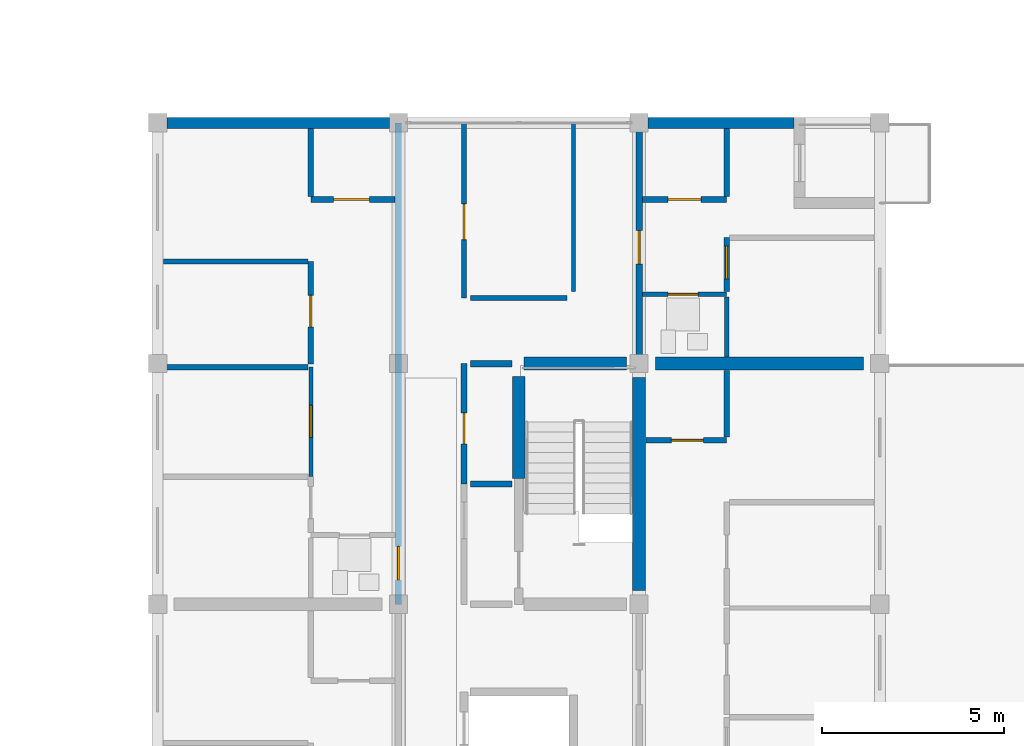
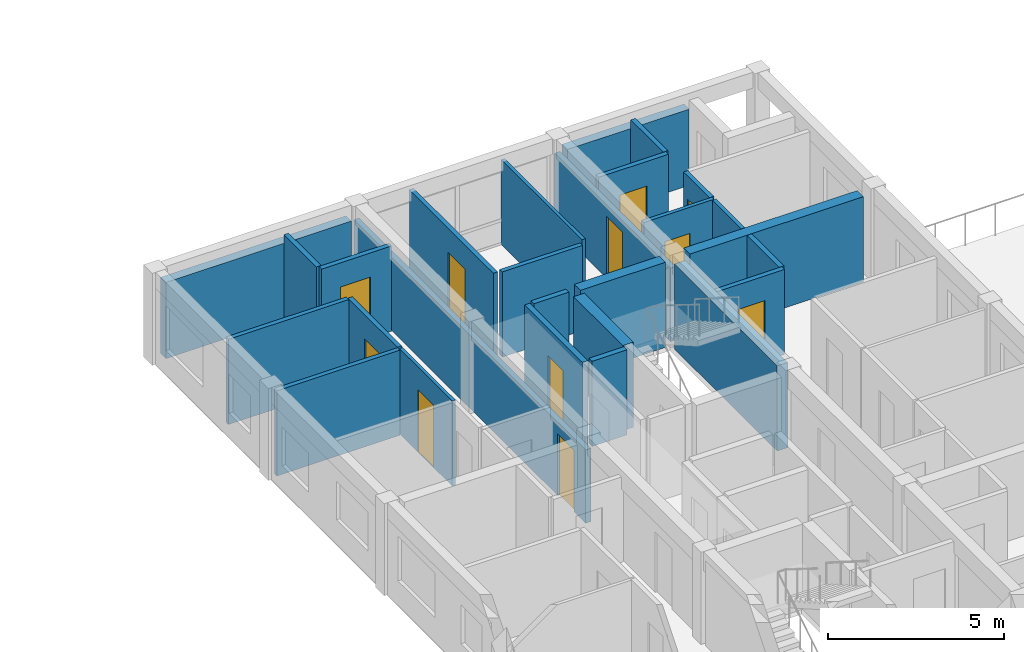
# One storey, part 32 of 51: 27 walls, 11 doors, 11 openings.
"""IFC4 building model written with IfcOpenShell, lengths in metres."""

import ifcopenshell
import ifcopenshell.guid

model = None  # the IFC model being written
_history = None  # IfcOwnerHistory: only IFC2X3 demands one
_inside = {}  # id of a spatial element -> (the spatial element, [elements in it])
_under = {}  # id of a project, library or spatial element -> (it, [spatial elements below it])
_declared = {}  # id of a project -> (the project, [libraries it declares])
_typed = {}  # id of a type object -> (the type object, [elements of that type])
_made_of = {}  # id of a material, layer set ... -> (it, [elements and type objects made of it])


def new_model(schema):
    """Start an empty IFC model of exactly this schema.

    Asked for "IFC4X3", IfcOpenShell would pick the latest addendum, in which some entities
    have other attributes; the version numbers below select the first issue.
    IFC2X3 requires an IfcOwnerHistory on every rooted entity: one is made here for all.
    """
    global model, _history
    if schema == "IFC4X3":
        model = ifcopenshell.file(schema_version=(4, 3, 0, 0))
    else:
        model = ifcopenshell.file(schema=schema)
    _inside.clear()
    _under.clear()
    _declared.clear()
    _typed.clear()
    _made_of.clear()
    _history = None
    if model.schema == "IFC2X3":
        org = make("IfcOrganization", Name="unknown")
        user = make(
            "IfcPersonAndOrganization",
            ThePerson=make("IfcPerson", FamilyName="unknown"),
            TheOrganization=org,
        )
        app = make(
            "IfcApplication",
            ApplicationDeveloper=org,
            Version="unknown",
            ApplicationFullName="unknown",
            ApplicationIdentifier="unknown",
        )
        _history = make(
            "IfcOwnerHistory",
            OwningUser=user,
            OwningApplication=app,
            ChangeAction="ADDED",
            CreationDate=0,
        )
    return model


def make(cls, **values):
    """One entity of the class cls with the attributes given. An attribute that is None is left unset."""
    return model.create_entity(
        cls, **{name: value for name, value in values.items() if value is not None}
    )


def rooted(cls, **values):
    """An entity with a GlobalId (a new one), such as an element, a storey or a relation."""
    return make(cls, GlobalId=ifcopenshell.guid.new(), OwnerHistory=_history, **values)


def si_unit(unit_type, name, prefix=None):
    """IfcSIUnit, for example si_unit("LENGTHUNIT", "METRE", prefix="MILLI")."""
    return make("IfcSIUnit", UnitType=unit_type, Prefix=prefix, Name=name)


def assignment(units):
    """IfcUnitAssignment: the units of a project."""
    return None if units is None else make("IfcUnitAssignment", Units=units)


def point(xyz):
    """IfcCartesianPoint."""
    return None if xyz is None else make("IfcCartesianPoint", Coordinates=xyz)


def direction(xyz):
    """IfcDirection."""
    return None if xyz is None else make("IfcDirection", DirectionRatios=xyz)


def frame(location, z_axis=None, x_axis=None):
    """IfcAxis2Placement3D, a coordinate frame: its origin and axes. An axis left out is left unset."""
    return make(
        "IfcAxis2Placement3D",
        Location=point(location),
        Axis=direction(z_axis),
        RefDirection=direction(x_axis),
    )


def frame_2d(location, x_axis=None):
    """IfcAxis2Placement2D, a coordinate frame in the plane: its origin and x axis."""
    return make(
        "IfcAxis2Placement2D", Location=point(location), RefDirection=direction(x_axis)
    )


def origin():
    """The frame at (0, 0, 0) with its axes left unset."""
    return frame((0.0, 0.0, 0.0))


def place(relative_to, where):
    """IfcLocalPlacement: puts the frame where relative to a parent placement (None: the world)."""
    return make(
        "IfcLocalPlacement", PlacementRelTo=relative_to, RelativePlacement=where
    )


def context(
    kind, dimensions, precision=None, world=None, true_north=None, identifier=None
):
    """IfcGeometricRepresentationContext, for example the 3D "Model" context."""
    return make(
        "IfcGeometricRepresentationContext",
        ContextIdentifier=identifier,
        ContextType=kind,
        CoordinateSpaceDimension=dimensions,
        Precision=precision,
        WorldCoordinateSystem=world,
        TrueNorth=true_north,
    )


def subcontext(parent, identifier, kind, view, scale=None):
    """IfcGeometricRepresentationSubContext, for example "Body" below "Model"."""
    return make(
        "IfcGeometricRepresentationSubContext",
        ContextIdentifier=identifier,
        ContextType=kind,
        ParentContext=parent,
        TargetScale=scale,
        TargetView=view,
    )


def project(units=None, contexts=None):
    """IfcProject with its units and contexts."""
    return rooted(
        "IfcProject",
        Name="project",
        RepresentationContexts=contexts,
        UnitsInContext=assignment(units),
    )


def spatial(cls, under=None, at=None, **own):
    """A site, building, storey or space (cls), placed at a placement, below another one or the project."""
    s = rooted(cls, ObjectPlacement=at, **own)
    if under is not None:
        _under.setdefault(under.id(), (under, []))[1].append(s)
    return s


def profile(cls, at=None, kind="AREA", **sizes):
    """A parametric profile (cls). Its sizes go by their IFC names, for example OverallWidth=200.0."""
    return make(cls, ProfileType=kind, Position=at, **sizes)


def rectangle(**sizes):
    """IfcRectangleProfileDef."""
    return profile("IfcRectangleProfileDef", **sizes)


def extrude(swept, where, along, depth):
    """IfcExtrudedAreaSolid: the profile swept, set in the frame where, extruded along a direction by depth."""
    return make(
        "IfcExtrudedAreaSolid",
        SweptArea=swept,
        Position=where,
        ExtrudedDirection=direction(along),
        Depth=depth,
    )


def shape(context_of_items, identifier, shape_type, items):
    """IfcShapeRepresentation: the items that make up one representation, for example the "Body"."""
    return make(
        "IfcShapeRepresentation",
        ContextOfItems=context_of_items,
        RepresentationIdentifier=identifier,
        RepresentationType=shape_type,
        Items=items,
    )


def material(Name=None, Category=None):
    """IfcMaterial."""
    return make("IfcMaterial", Name=Name, Category=Category)


def layer(
    of_material, thickness, ventilated=None, Name=None, Category=None, Priority=None
):
    """IfcMaterialLayer: one layer of a wall or slab, of a material (None: an air gap)."""
    return make(
        "IfcMaterialLayer",
        Material=of_material,
        LayerThickness=thickness,
        IsVentilated=ventilated,
        Name=Name,
        Category=Category,
        Priority=Priority,
    )


def layer_set(layers, Name=None):
    """IfcMaterialLayerSet."""
    return make("IfcMaterialLayerSet", MaterialLayers=layers, LayerSetName=Name)


def made_of(thing, what):
    """Note that an element or type object is made of a material, layer set ...; save() writes the relation."""
    if what is not None:
        _made_of.setdefault(what.id(), (what, []))[1].append(thing)
    return thing


def type_object(cls, material=None, **own):
    """A type object (cls), such as IfcWallType, which elements share."""
    return made_of(rooted(cls, **own), material)


def element(
    cls,
    number,
    at=None,
    inside=None,
    cuts=None,
    type_object=None,
    material=None,
    context=None,
    identifier="Body",
    shape_type=None,
    held_by="IfcProductDefinitionShape",
    body=None,
    shapes=None,
    **own,
):
    """One element of the class cls, such as IfcWall. Its Tag is "e" and its number.

    at: its placement. inside: the storey or other place that contains it. cuts: it is an
    opening in that element (IfcRelVoidsElement). A single representation is given by context,
    identifier, shape_type and body (its items); several are given by shapes. held_by: the class
    of the entity that holds the representations. save() writes the other relations.
    """
    e = rooted(cls, Tag="e%d" % number, ObjectPlacement=at, **own)
    if body is not None:
        shapes = [shape(context, identifier, shape_type, body)]
    if shapes is not None:
        e.Representation = make(held_by, Representations=shapes)
    if inside is not None:
        _inside.setdefault(inside.id(), (inside, []))[1].append(e)
    if cuts is not None:
        rooted(
            "IfcRelVoidsElement", RelatingBuildingElement=cuts, RelatedOpeningElement=e
        )
    if type_object is not None:
        _typed.setdefault(type_object.id(), (type_object, []))[1].append(e)
    return made_of(e, material)


def fill(opening, filler):
    """IfcRelFillsElement: the door or window that sits in an opening."""
    return rooted(
        "IfcRelFillsElement",
        RelatingOpeningElement=opening,
        RelatedBuildingElement=filler,
    )


def aggregate(whole, parts):
    """IfcRelAggregates: a whole, such as a stair, and the parts it consists of."""
    return rooted("IfcRelAggregates", RelatingObject=whole, RelatedObjects=parts)


def save(model, path):
    """Write the relations noted so far, then the file.

    IfcRelAggregates (storeys below a building ...), IfcRelContainedInSpatialStructure (elements
    in a storey), IfcRelDefinesByType, IfcRelAssociatesMaterial and IfcRelDeclares: one each for
    every whole, place, type object, material and project.
    """
    for whole, parts in _under.values():
        aggregate(whole, parts)
    for where, things in _inside.values():
        rooted(
            "IfcRelContainedInSpatialStructure",
            RelatedElements=things,
            RelatingStructure=where,
        )
    for kind, things in _typed.values():
        rooted("IfcRelDefinesByType", RelatedObjects=things, RelatingType=kind)
    for what, things in _made_of.values():
        rooted("IfcRelAssociatesMaterial", RelatedObjects=things, RelatingMaterial=what)
    for by, libraries in _declared.values():
        rooted("IfcRelDeclares", RelatingContext=by, RelatedDefinitions=libraries)
    model.write(path)


model = new_model("IFC4")

# Units and contexts
model_context = context("Model", 3, precision=1e-05, world=origin(), true_north=direction((0.0, 1.0)))
body_context = subcontext(model_context, "Body", "Model", "MODEL_VIEW")
ifc_project = project(units=[si_unit("LENGTHUNIT", "METRE"), si_unit("AREAUNIT", "SQUARE_METRE"), si_unit("VOLUMEUNIT", "CUBIC_METRE"), si_unit("PLANEANGLEUNIT", "RADIAN"), si_unit("MASSUNIT", "GRAM", prefix="KILO")], contexts=[model_context])

# Site, building, storey
site_placement = place(None, origin())
site = spatial("IfcSite", under=ifc_project, at=site_placement, CompositionType="ELEMENT")
building_placement = place(site_placement, origin())
building = spatial("IfcBuilding", under=site, at=building_placement, Name="Kernevlak Ridge Housing Community", CompositionType="ELEMENT")
storey_placement = place(building_placement, frame((0.0, 0.0, 8.39990234375)))
storey = spatial("IfcBuildingStorey", under=building, at=storey_placement, Name="L02", CompositionType="ELEMENT", Elevation=8.39990234375)

# Walls
ifc_material_1 = material(Name="Concrete block masonry M10", Category="masonry")
ifc_layer_1 = layer(ifc_material_1, 0.300048828125, Name="Concrete block masonry M10")
ifc_layer_set_1 = layer_set([ifc_layer_1], Name="Concrete block masonry M10")
wall_type_1 = type_object("IfcWallType", Name="EW-01", PredefinedType="STANDARD", material=ifc_layer_set_1)
wall_1_placement = place(storey_placement, frame((126.25, 42.0, 0.0), z_axis=(0.0, 0.0, 1.0), x_axis=(1.0, 0.0, 0.0)))
element("IfcWall", 1, at=wall_1_placement, inside=storey, type_object=wall_type_1, Name="Exterior wall EW-01 L02 570", PredefinedType="STANDARD", context=body_context, shape_type="SweptSolid", body=[
    extrude(rectangle(XDim=6.10009765625, YDim=0.300048828125, at=frame_2d((3.050048828125, 0.0))), origin(), (0.0, 0.0, 1.0), 2.650146484375),
])
wall_2_placement = place(storey_placement, frame((139.449951171875, 42.0, 0.0), z_axis=(0.0, 0.0, 1.0), x_axis=(1.0, 0.0, 0.0)))
element("IfcWall", 2, at=wall_2_placement, inside=storey, type_object=wall_type_1, Name="Exterior wall EW-01 L02 571", PredefinedType="STANDARD", context=body_context, shape_type="SweptSolid", body=[
    extrude(rectangle(XDim=4.0, YDim=0.300048828125, at=frame_2d((2.0, 0.0))), origin(), (0.0, 0.0, 1.0), 2.650146484375),
])

# Wall, opening, door
ifc_layer_2 = layer(ifc_material_1, 0.175048828125, Name="Concrete block masonry M10")
ifc_layer_set_2 = layer_set([ifc_layer_2], Name="Concrete block masonry M10")
wall_type_2 = type_object("IfcWallType", Name="PW-02", PredefinedType="PARTITIONING", material=ifc_layer_set_2)
wall_3_placement = place(storey_placement, frame((134.39990234375, 32.10009765625, 0.0), z_axis=(0.0, 0.0, 1.0), x_axis=(0.0, 1.0, 0.0)))
wall_3 = element("IfcWall", 3, at=wall_3_placement, inside=storey, type_object=wall_type_2, Name="Interior wall PW-02 WAL-INT-L02-2241", PredefinedType="PARTITIONING", context=body_context, shape_type="SweptSolid", body=[
    extrude(rectangle(XDim=3.2998046875, YDim=0.175048828125, at=frame_2d((1.64990234375, 0.0))), origin(), (0.0, 0.0, 1.0), 2.960205078125),
])
opening_1_placement = place(wall_3_placement, frame((1.10009765625, 0.0, 0.0)))
opening_1 = element("IfcOpeningElement", 4, at=opening_1_placement, cuts=wall_3, Name="Opening E135", PredefinedType="OPENING", context=body_context, shape_type="SweptSolid", body=[
    extrude(rectangle(XDim=0.85009765625, YDim=2.0, at=frame_2d((0.425048828125, 1.0))), frame((0.0, 0.097412109375, 0.0), z_axis=(0.0, -1.0, 0.0), x_axis=(1.0, 0.0, 0.0)), (0.0, 0.0, 1.0), 0.195068359375),
])
ifc_material_2 = material(Name="Fire-rated sheet steel leaf", Category="steel")
door_type_1 = type_object("IfcDoorType", Name="DT-07", OperationType="NOTDEFINED", PredefinedType="DOOR", material=ifc_material_2)
door_1_placement = place(opening_1_placement, origin())
door_1 = element("IfcDoor", 5, at=door_1_placement, inside=storey, type_object=door_type_1, Name="Block C Cleaner store door E135", OperationType="SINGLE_SWING_RIGHT", OverallHeight=2.0, OverallWidth=0.85009765625, PredefinedType="DOOR", context=body_context, shape_type="SweptSolid", body=[
    extrude(rectangle(XDim=0.85009765625, YDim=2.0, at=frame_2d((0.425048828125, 1.0))), frame((0.0, 0.02490234375, 0.0), z_axis=(0.0, -1.0, 0.0), x_axis=(1.0, 0.0, 0.0)), (0.0, 0.0, 1.0), 0.050048828125),
])
fill(opening_1, door_1)

# Walls
for number, where, z_axis, x_axis, name in (
    (6, (134.580078125, 32.10009765625, 0.0), (0.0, 0.0, 1.0), (1.0, 0.0, 0.0), "Interior wall PW-02 WAL-INT-L02-2243"),
    (7, (134.580078125, 35.39990234375, 0.0), (0.0, 0.0, 1.0), (1.0, 0.0, 0.0), "Interior wall PW-02 WAL-INT-L02-2244"),
):
    element("IfcWall", number, at=place(storey_placement, frame(where, z_axis=z_axis, x_axis=x_axis)), inside=storey, type_object=wall_type_2, Name=name, PredefinedType="PARTITIONING", context=body_context, shape_type="SweptSolid", body=[
        extrude(rectangle(XDim=1.139892578125, YDim=0.175048828125, at=frame_2d((0.56982421875, 0.0))), origin(), (0.0, 0.0, 1.0), 2.960205078125),
    ])

# Wall, opening, door
wall_4_placement = place(storey_placement, frame((132.60009765625, 28.800048828125, 0.0), z_axis=(0.0, 0.0, 1.0), x_axis=(0.0, 1.0, 0.0)))
wall_4 = element("IfcWall", 8, at=wall_4_placement, inside=storey, type_object=wall_type_2, Name="Interior wall PW-02 WAL-INT-L02-2259", PredefinedType="PARTITIONING", context=body_context, shape_type="SweptSolid", body=[
    extrude(rectangle(XDim=13.199951171875, YDim=0.175048828125, at=frame_2d((6.60009765625, 0.0))), origin(), (0.0, 0.0, 1.0), 2.550048828125),
])
opening_2_placement = place(wall_4_placement, frame((0.669921875, 0.0, 0.0)))
opening_2 = element("IfcOpeningElement", 9, at=opening_2_placement, cuts=wall_4, Name="Opening E143", PredefinedType="OPENING", context=body_context, shape_type="SweptSolid", body=[
    extrude(rectangle(XDim=0.919921875, YDim=2.139892578125, at=frame_2d((0.4599609375, 1.06982421875))), frame((0.0, 0.097412109375, 0.0), z_axis=(0.0, -1.0, 0.0), x_axis=(1.0, 0.0, 0.0)), (0.0, 0.0, 1.0), 0.195068359375),
])
ifc_material_3 = material(Name="Hardwood timber solid-core fire leaf", Category="wood")
door_type_2 = type_object("IfcDoorType", Name="DT-20", OperationType="NOTDEFINED", PredefinedType="DOOR", material=ifc_material_3)
door_2_placement = place(opening_2_placement, origin())
door_2 = element("IfcDoor", 10, at=door_2_placement, inside=storey, type_object=door_type_2, Name="Flat C0212 entrance fire door E143", OperationType="SINGLE_SWING_RIGHT", OverallHeight=2.139892578125, OverallWidth=0.919921875, PredefinedType="DOOR", context=body_context, shape_type="SweptSolid", body=[
    extrude(rectangle(XDim=0.919921875, YDim=2.139892578125, at=frame_2d((0.4599609375, 1.06982421875))), frame((0.0, 0.02490234375, 0.0), z_axis=(0.0, -1.0, 0.0), x_axis=(1.0, 0.0, 0.0)), (0.0, 0.0, 1.0), 0.050048828125),
])
fill(opening_2, door_2)

wall_5_placement = place(storey_placement, frame((139.199951171875, 35.39990234375, 0.0), z_axis=(0.0, 0.0, 1.0), x_axis=(0.0, 1.0, 0.0)))
wall_5 = element("IfcWall", 11, at=wall_5_placement, inside=storey, type_object=wall_type_2, Name="Interior wall PW-02 WAL-INT-L02-2289", PredefinedType="PARTITIONING", context=body_context, shape_type="SweptSolid", body=[
    extrude(rectangle(XDim=6.60009765625, YDim=0.175048828125, at=frame_2d((3.300048828125, 0.0))), origin(), (0.0, 0.0, 1.0), 2.550048828125),
])
opening_3_placement = place(wall_5_placement, frame((2.72509765625, 0.0, 0.0)))
opening_3 = element("IfcOpeningElement", 12, at=opening_3_placement, cuts=wall_5, Name="Opening E160", PredefinedType="OPENING", context=body_context, shape_type="SweptSolid", body=[
    extrude(rectangle(XDim=0.919921875, YDim=2.139892578125, at=frame_2d((0.4599609375, 1.06982421875))), frame((0.0, 0.097412109375, 0.0), z_axis=(0.0, -1.0, 0.0), x_axis=(1.0, 0.0, 0.0)), (0.0, 0.0, 1.0), 0.195068359375),
])
door_3_placement = place(opening_3_placement, origin())
door_3 = element("IfcDoor", 13, at=door_3_placement, inside=storey, type_object=door_type_2, Name="Flat C0223 entrance fire door E160", OperationType="SINGLE_SWING_LEFT", OverallHeight=2.139892578125, OverallWidth=0.919921875, PredefinedType="DOOR", context=body_context, shape_type="SweptSolid", body=[
    extrude(rectangle(XDim=0.919921875, YDim=2.139892578125, at=frame_2d((0.4599609375, 1.06982421875))), frame((0.0, 0.02490234375, 0.0), z_axis=(0.0, -1.0, 0.0), x_axis=(1.0, 0.0, 0.0)), (0.0, 0.0, 1.0), 0.050048828125),
])
fill(opening_3, door_3)

ifc_layer_3 = layer(ifc_material_1, 0.14501953125, Name="Concrete block masonry M10")
ifc_layer_set_3 = layer_set([ifc_layer_3], Name="Concrete block masonry M10")
wall_type_3 = type_object("IfcWallType", Name="PW-03", PredefinedType="PARTITIONING", material=ifc_layer_set_3)
wall_6_placement = place(storey_placement, frame((134.39990234375, 37.199951171875, 0.0), z_axis=(0.0, 0.0, 1.0), x_axis=(0.0, 1.0, 0.0)))
wall_6 = element("IfcWall", 14, at=wall_6_placement, inside=storey, type_object=wall_type_3, Name="Interior wall PW-03 WAL-INT-L02-2245", PredefinedType="PARTITIONING", context=body_context, shape_type="SweptSolid", body=[
    extrude(rectangle(XDim=4.800048828125, YDim=0.14501953125, at=frame_2d((2.39990234375, 0.0))), origin(), (0.0, 0.0, 1.0), 2.960205078125),
])
opening_4_placement = place(wall_6_placement, frame((1.60009765625, 0.0, 0.0)))
opening_4 = element("IfcOpeningElement", 15, at=opening_4_placement, cuts=wall_6, Name="Opening E136", PredefinedType="OPENING", context=body_context, shape_type="SweptSolid", body=[
    extrude(rectangle(XDim=0.97998046875, YDim=2.1201171875, at=frame_2d((0.489990234375, 1.06005859375))), frame((0.0, 0.08251953125, 0.0), z_axis=(0.0, -1.0, 0.0), x_axis=(1.0, 0.0, 0.0)), (0.0, 0.0, 1.0), 0.1650390625),
])
ifc_material_4 = material(Name="Hardwood timber leaf", Category="wood")
door_type_3 = type_object("IfcDoorType", Name="DT-24", OperationType="NOTDEFINED", PredefinedType="DOOR", material=ifc_material_4)
door_4_placement = place(opening_4_placement, origin())
door_4 = element("IfcDoor", 16, at=door_4_placement, inside=storey, type_object=door_type_3, Name="Block C Laundry room door E136", OperationType="SINGLE_SWING_LEFT", OverallHeight=2.1201171875, OverallWidth=0.97998046875, PredefinedType="DOOR", context=body_context, shape_type="SweptSolid", body=[
    extrude(rectangle(XDim=0.97998046875, YDim=2.1201171875, at=frame_2d((0.489990234375, 1.06005859375))), frame((0.0, 0.02490234375, 0.0), z_axis=(0.0, -1.0, 0.0), x_axis=(1.0, 0.0, 0.0)), (0.0, 0.0, 1.0), 0.050048828125),
])
fill(opening_4, door_4)

# Walls
wall_7_placement = place(storey_placement, frame((134.580078125, 37.199951171875, 0.0), z_axis=(0.0, 0.0, 1.0), x_axis=(1.0, 0.0, 0.0)))
element("IfcWall", 17, at=wall_7_placement, inside=storey, type_object=wall_type_3, Name="Interior wall PW-03 WAL-INT-L02-2247", PredefinedType="PARTITIONING", context=body_context, shape_type="SweptSolid", body=[
    extrude(rectangle(XDim=2.639892578125, YDim=0.14501953125, at=frame_2d((1.31982421875, 0.0))), origin(), (0.0, 0.0, 1.0), 2.960205078125),
])
wall_8_placement = place(storey_placement, frame((130.1201171875, 35.300048828125, 0.0), z_axis=(0.0, 0.0, 1.0), x_axis=(-1.0, 0.0, 0.0)))
element("IfcWall", 18, at=wall_8_placement, inside=storey, type_object=wall_type_3, Name="Interior wall PW-03 WAL-INT-L02-2267", PredefinedType="PARTITIONING", context=body_context, shape_type="SweptSolid", body=[
    extrude(rectangle(XDim=4.0400390625, YDim=0.14501953125, at=frame_2d((2.02001953125, 0.0))), origin(), (0.0, 0.0, 1.0), 2.960205078125),
])

# Wall, opening, door
wall_9_placement = place(storey_placement, frame((130.199951171875, 35.382568359375, 0.0), z_axis=(0.0, 0.0, 1.0), x_axis=(0.0, 1.0, 0.0)))
wall_9 = element("IfcWall", 19, at=wall_9_placement, inside=storey, type_object=wall_type_3, Name="Interior wall PW-03 WAL-INT-L02-2268", PredefinedType="PARTITIONING", context=body_context, shape_type="SweptSolid", body=[
    extrude(rectangle(XDim=2.8173828125, YDim=0.14501953125, at=frame_2d((1.40869140625, 0.0))), origin(), (0.0, 0.0, 1.0), 2.960205078125),
])
opening_5_placement = place(wall_9_placement, frame((1.02490234375, 0.0, 0.0)))
opening_5 = element("IfcOpeningElement", 20, at=opening_5_placement, cuts=wall_9, Name="Opening E148", PredefinedType="OPENING", context=body_context, shape_type="SweptSolid", body=[
    extrude(rectangle(XDim=0.860107421875, YDim=2.1201171875, at=frame_2d((0.43017578125, 1.06005859375))), frame((0.0, 0.08251953125, 0.0), z_axis=(0.0, -1.0, 0.0), x_axis=(1.0, 0.0, 0.0)), (0.0, 0.0, 1.0), 0.1650390625),
])
door_type_4 = type_object("IfcDoorType", Name="DT-28", OperationType="NOTDEFINED", PredefinedType="DOOR", material=ifc_material_4)
door_5_placement = place(opening_5_placement, origin())
door_5 = element("IfcDoor", 21, at=door_5_placement, inside=storey, type_object=door_type_4, Name="Flat C0212 bedroom door E148", OperationType="SINGLE_SWING_LEFT", OverallHeight=2.1201171875, OverallWidth=0.860107421875, PredefinedType="DOOR", context=body_context, shape_type="SweptSolid", body=[
    extrude(rectangle(XDim=0.860107421875, YDim=2.1201171875, at=frame_2d((0.43017578125, 1.06005859375))), frame((0.0, 0.02490234375, 0.0), z_axis=(0.0, -1.0, 0.0), x_axis=(1.0, 0.0, 0.0)), (0.0, 0.0, 1.0), 0.050048828125),
])
fill(opening_5, door_5)

# Wall
wall_10_placement = place(storey_placement, frame((130.117431640625, 38.199951171875, 0.0), z_axis=(0.0, 0.0, 1.0), x_axis=(-1.0, 0.0, 0.0)))
element("IfcWall", 22, at=wall_10_placement, inside=storey, type_object=wall_type_3, Name="Interior wall PW-03 WAL-INT-L02-2269", PredefinedType="PARTITIONING", context=body_context, shape_type="SweptSolid", body=[
    extrude(rectangle(XDim=3.95751953125, YDim=0.14501953125, at=frame_2d((1.978759765625, 0.0))), origin(), (0.0, 0.0, 1.0), 2.960205078125),
])

# Wall, opening, door
wall_11_placement = place(storey_placement, frame((141.60009765625, 37.37255859375, 0.0), z_axis=(0.0, 0.0, 1.0), x_axis=(0.0, 1.0, 0.0)))
wall_11 = element("IfcWall", 23, at=wall_11_placement, inside=storey, type_object=wall_type_3, Name="Interior wall PW-03 WAL-INT-L02-2294", PredefinedType="PARTITIONING", context=body_context, shape_type="SweptSolid", body=[
    extrude(rectangle(XDim=1.4775390625, YDim=0.14501953125, at=frame_2d((0.73876953125, 0.0))), origin(), (0.0, 0.0, 1.0), 2.960205078125),
])
opening_6_placement = place(wall_11_placement, frame((0.35009765625, 0.0, 0.0)))
opening_6 = element("IfcOpeningElement", 24, at=opening_6_placement, cuts=wall_11, Name="Opening E163", PredefinedType="OPENING", context=body_context, shape_type="SweptSolid", body=[
    extrude(rectangle(XDim=0.89990234375, YDim=2.159912109375, at=frame_2d((0.449951171875, 1.080078125))), frame((0.0, 0.08251953125, 0.0), z_axis=(0.0, -1.0, 0.0), x_axis=(1.0, 0.0, 0.0)), (0.0, 0.0, 1.0), 0.1650390625),
])
door_type_5 = type_object("IfcDoorType", Name="DT-22", OperationType="NOTDEFINED", PredefinedType="DOOR", material=ifc_material_4)
door_6_placement = place(opening_6_placement, origin())
door_6 = element("IfcDoor", 25, at=door_6_placement, inside=storey, type_object=door_type_5, Name="Flat C0223 bedroom door E163", OperationType="SINGLE_SWING_RIGHT", OverallHeight=2.159912109375, OverallWidth=0.89990234375, PredefinedType="DOOR", context=body_context, shape_type="SweptSolid", body=[
    extrude(rectangle(XDim=0.89990234375, YDim=2.159912109375, at=frame_2d((0.449951171875, 1.080078125))), frame((0.0, 0.02490234375, 0.0), z_axis=(0.0, -1.0, 0.0), x_axis=(1.0, 0.0, 0.0)), (0.0, 0.0, 1.0), 0.050048828125),
])
fill(opening_6, door_6)

ifc_material_5 = material(Name="Gypsum plasterboard EN 520", Category="gypsum")
ifc_layer_4 = layer(ifc_material_5, 0.125, Name="Gypsum plasterboard EN 520")
ifc_layer_set_4 = layer_set([ifc_layer_4], Name="Gypsum plasterboard EN 520")
wall_type_4 = type_object("IfcWallType", Name="PW-04", PredefinedType="PARTITIONING", material=ifc_layer_set_4)
wall_12_placement = place(storey_placement, frame((139.297607421875, 37.300048828125, 0.0), z_axis=(0.0, 0.0, 1.0), x_axis=(1.0, 0.0, 0.0)))
wall_12 = element("IfcWall", 26, at=wall_12_placement, inside=storey, type_object=wall_type_4, Name="Interior wall PW-04 WAL-INT-L02-2290", PredefinedType="PARTITIONING", context=body_context, shape_type="SweptSolid", body=[
    extrude(rectangle(XDim=2.302490234375, YDim=0.125, at=frame_2d((1.1513671875, 0.0))), origin(), (0.0, 0.0, 1.0), 2.960205078125),
])
opening_7_placement = place(wall_12_placement, frame((0.699951171875, 0.0, 0.0)))
opening_7 = element("IfcOpeningElement", 27, at=opening_7_placement, cuts=wall_12, Name="Opening E161", PredefinedType="OPENING", context=body_context, shape_type="SweptSolid", body=[
    extrude(rectangle(XDim=0.820068359375, YDim=2.050048828125, at=frame_2d((0.41015625, 1.02490234375))), frame((0.0, 0.072509765625, 0.0), z_axis=(0.0, -1.0, 0.0), x_axis=(1.0, 0.0, 0.0)), (0.0, 0.0, 1.0), 0.14501953125),
])
ifc_material_6 = material(Name="Hardwood timber moisture-resistant leaf", Category="wood")
door_type_6 = type_object("IfcDoorType", Name="DT-30", OperationType="NOTDEFINED", PredefinedType="DOOR", material=ifc_material_6)
door_7_placement = place(opening_7_placement, origin())
door_7 = element("IfcDoor", 28, at=door_7_placement, inside=storey, type_object=door_type_6, Name="Flat C0223 bathroom door E161", OperationType="SINGLE_SWING_RIGHT", OverallHeight=2.050048828125, OverallWidth=0.820068359375, PredefinedType="DOOR", context=body_context, shape_type="SweptSolid", body=[
    extrude(rectangle(XDim=0.820068359375, YDim=2.050048828125, at=frame_2d((0.41015625, 1.02490234375))), frame((0.0, 0.02490234375, 0.0), z_axis=(0.0, -1.0, 0.0), x_axis=(1.0, 0.0, 0.0)), (0.0, 0.0, 1.0), 0.050048828125),
])
fill(opening_7, door_7)

# Wall
wall_13_placement = place(storey_placement, frame((141.60009765625, 35.5849609375, 0.0), z_axis=(0.0, 0.0, 1.0), x_axis=(0.0, 1.0, 0.0)))
element("IfcWall", 29, at=wall_13_placement, inside=storey, type_object=wall_type_4, Name="Interior wall PW-04 WAL-INT-L02-2291", PredefinedType="PARTITIONING", context=body_context, shape_type="SweptSolid", body=[
    extrude(rectangle(XDim=1.635009765625, YDim=0.125, at=frame_2d((0.8173828125, 0.0))), origin(), (0.0, 0.0, 1.0), 2.960205078125),
])

# Wall, opening, door
ifc_layer_5 = layer(ifc_material_5, 0.155029296875, Name="Gypsum plasterboard EN 520")
ifc_layer_set_5 = layer_set([ifc_layer_5], Name="Gypsum plasterboard EN 520")
wall_type_5 = type_object("IfcWallType", Name="PW-05", PredefinedType="PARTITIONING", material=ifc_layer_set_5)
wall_14_placement = place(storey_placement, frame((132.50244140625, 39.89990234375, 0.0), z_axis=(0.0, 0.0, 1.0), x_axis=(-1.0, 0.0, 0.0)))
wall_14 = element("IfcWall", 30, at=wall_14_placement, inside=storey, type_object=wall_type_5, Name="Interior wall PW-05 WAL-INT-L02-2262", PredefinedType="PARTITIONING", context=body_context, shape_type="SweptSolid", body=[
    extrude(rectangle(XDim=2.302490234375, YDim=0.155029296875, at=frame_2d((1.1513671875, 0.0))), origin(), (0.0, 0.0, 1.0), 2.960205078125),
])
opening_8_placement = place(wall_14_placement, frame((0.699951171875, 0.0, 0.0)))
opening_8 = element("IfcOpeningElement", 31, at=opening_8_placement, cuts=wall_14, Name="Opening E145", PredefinedType="OPENING", context=body_context, shape_type="SweptSolid", body=[
    extrude(rectangle(XDim=0.97998046875, YDim=2.1201171875, at=frame_2d((0.489990234375, 1.06005859375))), frame((0.0, 0.08740234375, 0.0), z_axis=(0.0, -1.0, 0.0), x_axis=(1.0, 0.0, 0.0)), (0.0, 0.0, 1.0), 0.175048828125),
])
door_8_placement = place(opening_8_placement, origin())
door_8 = element("IfcDoor", 32, at=door_8_placement, inside=storey, type_object=door_type_3, Name="Flat C0212 kitchen door E145", OperationType="SINGLE_SWING_RIGHT", OverallHeight=2.1201171875, OverallWidth=0.97998046875, PredefinedType="DOOR", context=body_context, shape_type="SweptSolid", body=[
    extrude(rectangle(XDim=0.97998046875, YDim=2.1201171875, at=frame_2d((0.489990234375, 1.06005859375))), frame((0.0, 0.02490234375, 0.0), z_axis=(0.0, -1.0, 0.0), x_axis=(1.0, 0.0, 0.0)), (0.0, 0.0, 1.0), 0.050048828125),
])
fill(opening_8, door_8)

# Wall
wall_15_placement = place(storey_placement, frame((130.199951171875, 39.987548828125, 0.0), z_axis=(0.0, 0.0, 1.0), x_axis=(0.0, 1.0, 0.0)))
element("IfcWall", 33, at=wall_15_placement, inside=storey, type_object=wall_type_5, Name="Interior wall PW-05 WAL-INT-L02-2263", PredefinedType="PARTITIONING", context=body_context, shape_type="SweptSolid", body=[
    extrude(rectangle(XDim=1.8525390625, YDim=0.155029296875, at=frame_2d((0.92626953125, 0.0))), origin(), (0.0, 0.0, 1.0), 2.960205078125),
])

# Wall, opening, door
wall_16_placement = place(storey_placement, frame((139.385009765625, 33.300048828125, 0.0), z_axis=(0.0, 0.0, 1.0), x_axis=(1.0, 0.0, 0.0)))
wall_16 = element("IfcWall", 34, at=wall_16_placement, inside=storey, type_object=wall_type_5, Name="Interior wall PW-05 WAL-INT-L02-2281", PredefinedType="PARTITIONING", context=body_context, shape_type="SweptSolid", body=[
    extrude(rectangle(XDim=2.215087890625, YDim=0.155029296875, at=frame_2d((1.107421875, 0.0))), origin(), (0.0, 0.0, 1.0), 2.960205078125),
])
opening_9_placement = place(wall_16_placement, frame((0.699951171875, 0.0, 0.0)))
opening_9 = element("IfcOpeningElement", 35, at=opening_9_placement, cuts=wall_16, Name="Opening E155", PredefinedType="OPENING", context=body_context, shape_type="SweptSolid", body=[
    extrude(rectangle(XDim=0.8798828125, YDim=2.10009765625, at=frame_2d((0.43994140625, 1.050048828125))), frame((0.0, 0.08740234375, 0.0), z_axis=(0.0, -1.0, 0.0), x_axis=(1.0, 0.0, 0.0)), (0.0, 0.0, 1.0), 0.175048828125),
])
door_type_7 = type_object("IfcDoorType", Name="DT-25", OperationType="NOTDEFINED", PredefinedType="DOOR", material=ifc_material_4)
door_9_placement = place(opening_9_placement, origin())
door_9 = element("IfcDoor", 36, at=door_9_placement, inside=storey, type_object=door_type_7, Name="Flat C0222 kitchen door E155", OperationType="SINGLE_SWING_RIGHT", OverallHeight=2.10009765625, OverallWidth=0.8798828125, PredefinedType="DOOR", context=body_context, shape_type="SweptSolid", body=[
    extrude(rectangle(XDim=0.8798828125, YDim=2.10009765625, at=frame_2d((0.43994140625, 1.050048828125))), frame((0.0, 0.02490234375, 0.0), z_axis=(0.0, -1.0, 0.0), x_axis=(1.0, 0.0, 0.0)), (0.0, 0.0, 1.0), 0.050048828125),
])
fill(opening_9, door_9)

# Wall
wall_17_placement = place(storey_placement, frame((141.60009765625, 33.387451171875, 0.0), z_axis=(0.0, 0.0, 1.0), x_axis=(0.0, 1.0, 0.0)))
element("IfcWall", 37, at=wall_17_placement, inside=storey, type_object=wall_type_5, Name="Interior wall PW-05 WAL-INT-L02-2282", PredefinedType="PARTITIONING", context=body_context, shape_type="SweptSolid", body=[
    extrude(rectangle(XDim=1.82763671875, YDim=0.155029296875, at=frame_2d((0.913818359375, 0.0))), origin(), (0.0, 0.0, 1.0), 2.960205078125),
])

# Wall, opening, door
wall_18_placement = place(storey_placement, frame((139.297607421875, 39.89990234375, 0.0), z_axis=(0.0, 0.0, 1.0), x_axis=(1.0, 0.0, 0.0)))
wall_18 = element("IfcWall", 38, at=wall_18_placement, inside=storey, type_object=wall_type_5, Name="Interior wall PW-05 WAL-INT-L02-2292", PredefinedType="PARTITIONING", context=body_context, shape_type="SweptSolid", body=[
    extrude(rectangle(XDim=2.302490234375, YDim=0.155029296875, at=frame_2d((1.1513671875, 0.0))), origin(), (0.0, 0.0, 1.0), 2.960205078125),
])
opening_10_placement = place(wall_18_placement, frame((0.699951171875, 0.0, 0.0)))
opening_10 = element("IfcOpeningElement", 39, at=opening_10_placement, cuts=wall_18, Name="Opening E162", PredefinedType="OPENING", context=body_context, shape_type="SweptSolid", body=[
    extrude(rectangle(XDim=0.89990234375, YDim=2.10009765625, at=frame_2d((0.449951171875, 1.050048828125))), frame((0.0, 0.08740234375, 0.0), z_axis=(0.0, -1.0, 0.0), x_axis=(1.0, 0.0, 0.0)), (0.0, 0.0, 1.0), 0.175048828125),
])
door_type_8 = type_object("IfcDoorType", Name="DT-21", OperationType="NOTDEFINED", PredefinedType="DOOR", material=ifc_material_4)
door_10_placement = place(opening_10_placement, origin())
door_10 = element("IfcDoor", 40, at=door_10_placement, inside=storey, type_object=door_type_8, Name="Flat C0223 kitchen door E162", OperationType="SINGLE_SWING_LEFT", OverallHeight=2.10009765625, OverallWidth=0.89990234375, PredefinedType="DOOR", context=body_context, shape_type="SweptSolid", body=[
    extrude(rectangle(XDim=0.89990234375, YDim=2.10009765625, at=frame_2d((0.449951171875, 1.050048828125))), frame((0.0, 0.02490234375, 0.0), z_axis=(0.0, -1.0, 0.0), x_axis=(1.0, 0.0, 0.0)), (0.0, 0.0, 1.0), 0.050048828125),
])
fill(opening_10, door_10)

# Walls
wall_19_placement = place(storey_placement, frame((141.60009765625, 39.987548828125, 0.0), z_axis=(0.0, 0.0, 1.0), x_axis=(0.0, 1.0, 0.0)))
element("IfcWall", 41, at=wall_19_placement, inside=storey, type_object=wall_type_5, Name="Interior wall PW-05 WAL-INT-L02-2293", PredefinedType="PARTITIONING", context=body_context, shape_type="SweptSolid", body=[
    extrude(rectangle(XDim=1.8525390625, YDim=0.155029296875, at=frame_2d((0.92626953125, 0.0))), origin(), (0.0, 0.0, 1.0), 2.960205078125),
])
ifc_layer_6 = layer(ifc_material_5, 0.10498046875, Name="Gypsum plasterboard EN 520")
ifc_layer_set_6 = layer_set([ifc_layer_6], Name="Gypsum plasterboard EN 520")
wall_type_6 = type_object("IfcWallType", Name="PW-06", PredefinedType="PARTITIONING", material=ifc_layer_set_6)
wall_20_placement = place(storey_placement, frame((137.39990234375, 37.3798828125, 0.0), z_axis=(0.0, 0.0, 1.0), x_axis=(0.0, 1.0, 0.0)))
element("IfcWall", 42, at=wall_20_placement, inside=storey, type_object=wall_type_6, Name="Interior wall PW-06 WAL-INT-L02-2246", PredefinedType="PARTITIONING", context=body_context, shape_type="SweptSolid", body=[
    extrude(rectangle(XDim=4.60009765625, YDim=0.10498046875, at=frame_2d((2.300048828125, 0.0))), origin(), (0.0, 0.0, 1.0), 2.960205078125),
])

# Wall, opening, door
wall_21_placement = place(storey_placement, frame((130.199951171875, 32.300048828125, 0.0), z_axis=(0.0, 0.0, 1.0), x_axis=(0.0, 1.0, 0.0)))
wall_21 = element("IfcWall", 43, at=wall_21_placement, inside=storey, type_object=wall_type_6, Name="Interior wall PW-06 WAL-INT-L02-2266", PredefinedType="PARTITIONING", context=body_context, shape_type="SweptSolid", body=[
    extrude(rectangle(XDim=3.0, YDim=0.10498046875, at=frame_2d((1.5, 0.0))), origin(), (0.0, 0.0, 1.0), 2.960205078125),
])
opening_11_placement = place(wall_21_placement, frame((1.074951171875, 0.0, 0.0)))
opening_11 = element("IfcOpeningElement", 44, at=opening_11_placement, cuts=wall_21, Name="Opening E147", PredefinedType="OPENING", context=body_context, shape_type="SweptSolid", body=[
    extrude(rectangle(XDim=0.8798828125, YDim=2.159912109375, at=frame_2d((0.43994140625, 1.080078125))), frame((0.0, 0.0625, 0.0), z_axis=(0.0, -1.0, 0.0), x_axis=(1.0, 0.0, 0.0)), (0.0, 0.0, 1.0), 0.125),
])
door_type_9 = type_object("IfcDoorType", Name="DT-26", OperationType="NOTDEFINED", PredefinedType="DOOR", material=ifc_material_4)
door_11_placement = place(opening_11_placement, origin())
door_11 = element("IfcDoor", 45, at=door_11_placement, inside=storey, type_object=door_type_9, Name="Flat C0212 bedroom door E147", OperationType="SINGLE_SWING_RIGHT", OverallHeight=2.159912109375, OverallWidth=0.8798828125, PredefinedType="DOOR", context=body_context, shape_type="SweptSolid", body=[
    extrude(rectangle(XDim=0.8798828125, YDim=2.159912109375, at=frame_2d((0.43994140625, 1.080078125))), frame((0.0, 0.02490234375, 0.0), z_axis=(0.0, -1.0, 0.0), x_axis=(1.0, 0.0, 0.0)), (0.0, 0.0, 1.0), 0.050048828125),
])
fill(opening_11, door_11)

# Walls
ifc_material_7 = material(Name="Concrete C40/50", Category="concrete")
ifc_layer_7 = layer(ifc_material_7, 0.35009765625, Name="Concrete C40/50")
ifc_layer_set_7 = layer_set([ifc_layer_7], Name="Concrete C40/50")
wall_type_7 = type_object("IfcWallType", Name="SW-01", PredefinedType="SHEAR", material=ifc_layer_set_7)
wall_22_placement = place(storey_placement, frame((139.199951171875, 29.179931640625, 0.0), z_axis=(0.0, 0.0, 1.0), x_axis=(0.0, 1.0, 0.0)))
element("IfcWall", 46, at=wall_22_placement, inside=storey, type_object=wall_type_7, Name="Shear wall SW-01 Block C L02 394", PredefinedType="SHEAR", context=body_context, shape_type="SweptSolid", body=[
    extrude(rectangle(XDim=5.840087890625, YDim=0.35009765625, at=frame_2d((2.919921875, 0.0))), origin(), (0.0, 0.0, 1.0), 2.960205078125),
])
for number, where, z_axis, x_axis, name in (
    (47, (135.89990234375, 32.25, 0.0), (0.0, 0.0, 1.0), (0.0, 1.0, 0.0), "Shear wall SW-01 Block C L02 395"),
    (48, (136.050048828125, 35.39990234375, 0.0), (0.0, 0.0, 1.0), (1.0, 0.0, 0.0), "Shear wall SW-01 Block C L02 397"),
):
    element("IfcWall", number, at=place(storey_placement, frame(where, z_axis=z_axis, x_axis=x_axis)), inside=storey, type_object=wall_type_7, Name=name, PredefinedType="SHEAR", context=body_context, shape_type="SweptSolid", body=[
        extrude(rectangle(XDim=2.800048828125, YDim=0.35009765625, at=frame_2d((1.39990234375, 0.0))), origin(), (0.0, 0.0, 1.0), 2.960205078125),
    ])
wall_23_placement = place(storey_placement, frame((139.64990234375, 35.39990234375, 0.0), z_axis=(0.0, 0.0, 1.0), x_axis=(1.0, 0.0, 0.0)))
element("IfcWall", 49, at=wall_23_placement, inside=storey, type_object=wall_type_7, Name="Shear wall SW-01 Block C L02 400", PredefinedType="SHEAR", context=body_context, shape_type="SweptSolid", body=[
    extrude(rectangle(XDim=5.7001953125, YDim=0.35009765625, at=frame_2d((2.85009765625, 0.0))), origin(), (0.0, 0.0, 1.0), 2.960205078125),
])

save(model, "model.ifc")
